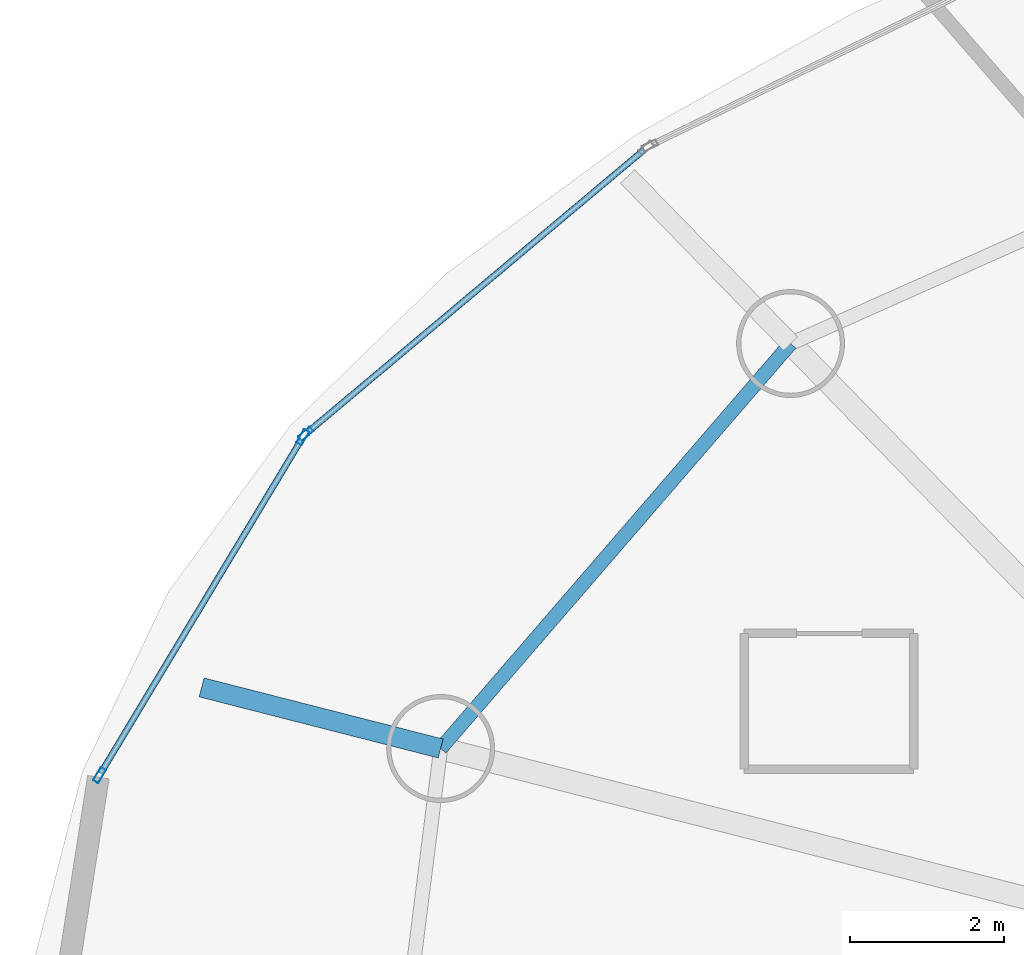
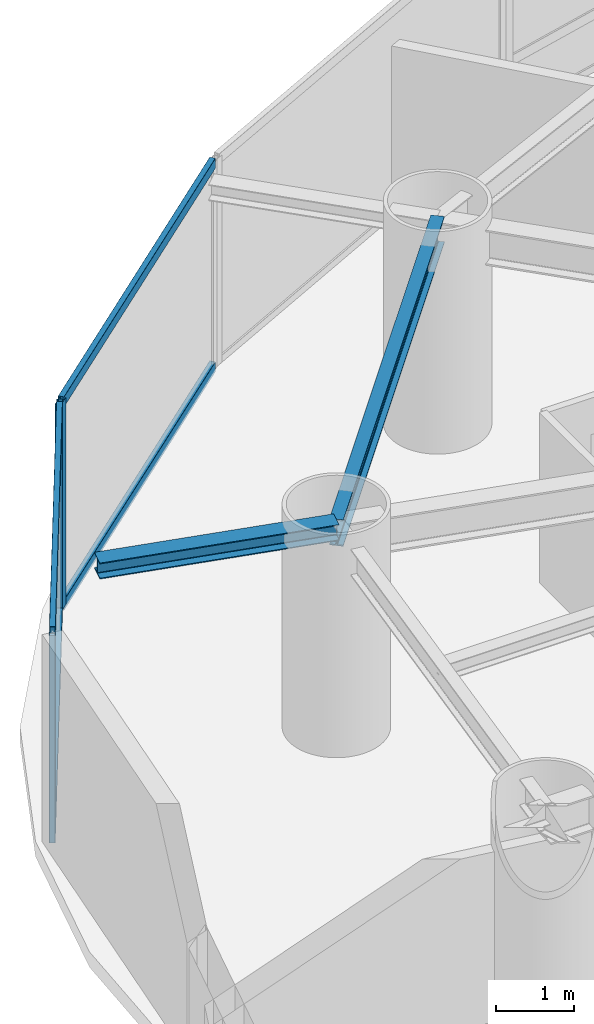
# One storey, part 7 of 20: 7 members, 2 beams, 2 elements without a shape of their own.
"""IFC4 building model written with IfcOpenShell, lengths in metres."""

from ifc_helpers import new_model, si_unit, direction, frame, origin, origin_2d, place, context, subcontext, project, spatial, hollow_rectangle, i_section, extrude, material, layer, layer_set, material_profile, profile_set, type_object, element, aggregate, save


model = new_model("IFC4")

# Units and contexts
model_context = context("Model", 3, precision=1e-05, world=origin(), true_north=direction((0.0, 1.0)))
body_context = subcontext(model_context, "Body", "Model", "MODEL_VIEW")
ifc_project = project(units=[si_unit("LENGTHUNIT", "METRE"), si_unit("AREAUNIT", "SQUARE_METRE"), si_unit("VOLUMEUNIT", "CUBIC_METRE"), si_unit("PLANEANGLEUNIT", "RADIAN"), si_unit("MASSUNIT", "GRAM", prefix="KILO")], contexts=[model_context])

# Site, building, storey
site_placement = place(None, origin())
site = spatial("IfcSite", under=ifc_project, at=site_placement, CompositionType="ELEMENT")
building_placement = place(site_placement, origin())
building = spatial("IfcBuilding", under=site, at=building_placement, Name="Bramvorn Convention Spire", CompositionType="ELEMENT")
storey_placement = place(building_placement, frame((0.0, 0.0, 113.300048828125)))
storey = spatial("IfcBuildingStorey", under=building, at=storey_placement, Name="L27", CompositionType="ELEMENT", Elevation=113.300048828125)

# Beams
ifc_material_1 = material(Name="Steel CSA G40.21 Grade 350 (350W)", Category="steel")
ifc_material_profile_1 = material_profile(ifc_material_1, i_section(OverallWidth=0.25390625, OverallDepth=0.2529296875, WebThickness=0.008544921875, FlangeThickness=0.01416015625, FilletRadius=0.011962890625, at=origin_2d()))
ifc_profile_set_1 = profile_set([ifc_material_profile_1], Name="Steel CSA G40.21 Grade 350 (350W) - W250X73")
beam_type_1 = type_object("IfcBeamType", Name="BM-W250X73", PredefinedType="BEAM", material=ifc_profile_set_1)
beam_1_placement = place(storey_placement, frame((13.88232421875, 36.73779296875, 3.133544921875), z_axis=(-0.968868276357, 0.24757678217, 0.0), x_axis=(-0.24757678217, -0.968868276357, 0.0)))
element("IfcBeam", 1, at=beam_1_placement, inside=storey, type_object=beam_type_1, Name="L27 slab-edge cantilever tip beam MC09", PredefinedType="BEAM", context=body_context, shape_type="SweptSolid", body=[
    extrude(i_section(OverallWidth=0.25390625, OverallDepth=0.2529296875, WebThickness=0.008544921875, FlangeThickness=0.01416015625, FilletRadius=0.011962890625, at=origin_2d()), origin(), (0.0, 0.0, 1.0), 3.199951171875),
])
ifc_material_profile_2 = material_profile(ifc_material_1, i_section(OverallWidth=0.180908203125, OverallDepth=0.4169921875, WebThickness=0.010986328125, FlangeThickness=0.018310546875, FilletRadius=0.01611328125, at=origin_2d()))
ifc_profile_set_2 = profile_set([ifc_material_profile_2], Name="Steel CSA G40.21 Grade 350 (350W) - W410X85")
beam_type_2 = type_object("IfcBeamType", Name="BM-W410X85", PredefinedType="JOIST", material=ifc_profile_set_2)
beam_2_placement = place(storey_placement, frame((18.420166015625, 41.9892578125, 3.051513671875), z_axis=(-0.653824993824, -0.756645807132, 0.0), x_axis=(0.756645807132, -0.653824993824, 0.0)))
element("IfcBeam", 2, at=beam_2_placement, inside=storey, type_object=beam_type_2, Name="L27 mega-column ring beam 08", PredefinedType="JOIST", context=body_context, shape_type="SweptSolid", body=[
    extrude(i_section(OverallWidth=0.180908203125, OverallDepth=0.4169921875, WebThickness=0.010986328125, FlangeThickness=0.018310546875, FilletRadius=0.01611328125, at=origin_2d()), origin(), (0.0, 0.0, 1.0), 6.9404296875),
])

# Curtain wall, member
ifc_material_2 = material(Name="Anodised Bronze Unitised Curtain Wall", Category="aluminium")
ifc_layer = layer(ifc_material_2, 0.179931640625)
ifc_layer_set = layer_set([ifc_layer], Name="Anodised Bronze Unitised Curtain Wall - CW-HTL-FRIT")
curtain_wall_type = type_object("IfcCurtainWallType", Name="CW-HTL-FRIT", PredefinedType="USERDEFINED", material=ifc_layer_set)
curtain_wall_1_placement = place(storey_placement, origin())
curtain_wall_1 = element("IfcCurtainWall", 3, at=curtain_wall_1_placement, inside=storey, type_object=curtain_wall_type, Name="L27 fritted glass curtain wall 11", ObjectType="UNITISED CURTAIN WALL", PredefinedType="USERDEFINED")
ifc_material_3 = material(Name="Anodised Bronze Aluminium 6063-T6", Category="aluminium")
ifc_material_profile_3 = material_profile(ifc_material_3, hollow_rectangle(XDim=0.080078125, YDim=0.199951171875, WallThickness=0.00390625, InnerFilletRadius=0.0009765625, OuterFilletRadius=0.00390625, at=origin_2d()))
ifc_profile_set_3 = profile_set([ifc_material_profile_3], Name="Anodised Bronze Aluminium 6063-T6 - CWM80X200")
member_type_1 = type_object("IfcMemberType", Name="CW-MUL-180", PredefinedType="MULLION", material=ifc_profile_set_3)
member_1_placement = place(storey_placement, frame((12.13330078125, 40.81884765625, 0.0), z_axis=(0.0, 0.0, 1.0), x_axis=(-0.642889961589, 0.765958548022, 0.0)))
member_1 = element("IfcMember", 4, at=member_1_placement, type_object=member_type_1, Name="CW2 mullion 1", PredefinedType="MULLION", context=body_context, shape_type="SweptSolid", body=[
    extrude(hollow_rectangle(XDim=0.080078125, YDim=0.199951171875, WallThickness=0.00390625, InnerFilletRadius=0.0009765625, OuterFilletRadius=0.00390625, at=origin_2d()), origin(), (0.0, 0.0, 1.0), 3.260009765625),
])

# Curtain wall, members
curtain_wall_2_placement = place(storey_placement, origin())
curtain_wall_2 = element("IfcCurtainWall", 5, at=curtain_wall_2_placement, inside=storey, type_object=curtain_wall_type, Name="L27 fritted glass curtain wall 12", ObjectType="UNITISED CURTAIN WALL", PredefinedType="USERDEFINED")
member_2_placement = place(storey_placement, frame((9.45849609375, 36.391357421875, 0.0), z_axis=(0.0, 0.0, 1.0), x_axis=(-0.856907467728, 0.515470262723, 0.0)))
member_2 = element("IfcMember", 6, at=member_2_placement, type_object=member_type_1, Name="CW2 mullion 1", PredefinedType="MULLION", context=body_context, shape_type="SweptSolid", body=[
    extrude(hollow_rectangle(XDim=0.080078125, YDim=0.199951171875, WallThickness=0.00390625, InnerFilletRadius=0.0009765625, OuterFilletRadius=0.00390625, at=origin_2d()), origin(), (0.0, 0.0, 1.0), 3.260009765625),
])
member_3_placement = place(storey_placement, frame((12.0947265625, 40.77392578125, 0.0), z_axis=(0.0, 0.0, 1.0), x_axis=(-0.856907467728, 0.515470262723, 0.0)))
member_3 = element("IfcMember", 7, at=member_3_placement, type_object=member_type_1, Name="CW2 mullion 2", PredefinedType="MULLION", context=body_context, shape_type="SweptSolid", body=[
    extrude(hollow_rectangle(XDim=0.080078125, YDim=0.199951171875, WallThickness=0.00390625, InnerFilletRadius=0.0009765625, OuterFilletRadius=0.00390625, at=origin_2d()), origin(), (0.0, 0.0, 1.0), 3.260009765625),
])

# Member
ifc_material_profile_4 = material_profile(ifc_material_3, hollow_rectangle(XDim=0.080078125, YDim=0.159912109375, WallThickness=0.00390625, InnerFilletRadius=0.0009765625, OuterFilletRadius=0.00390625, at=origin_2d()))
ifc_profile_set_4 = profile_set([ifc_material_profile_4], Name="Anodised Bronze Aluminium 6063-T6 - CWT80X160")
member_type_2 = type_object("IfcMemberType", Name="CW-TRN-150", PredefinedType="USERDEFINED", material=ifc_profile_set_4)
member_4_placement = place(storey_placement, frame((12.15625, 40.838134765625, 0.030029296875), z_axis=(0.765963713317, 0.64288380745, 0.0), x_axis=(-0.64288380745, 0.765963713317, 0.0)))
member_4 = element("IfcMember", 8, at=member_4_placement, type_object=member_type_2, Name="CW2 transom 1.1", ObjectType="TRANSOM", PredefinedType="USERDEFINED", context=body_context, shape_type="SweptSolid", body=[
    extrude(hollow_rectangle(XDim=0.080078125, YDim=0.159912109375, WallThickness=0.00390625, InnerFilletRadius=0.0009765625, OuterFilletRadius=0.00390625, at=origin_2d()), origin(), (0.0, 0.0, 1.0), 5.702880859375),
])

member_5_placement = place(storey_placement, frame((12.15625, 40.838134765625, 3.22998046875), z_axis=(0.765963713317, 0.64288380745, 0.0), x_axis=(-0.64288380745, 0.765963713317, 0.0)))
member_5 = element("IfcMember", 9, at=member_5_placement, type_object=member_type_2, Name="CW2 transom 1.2", ObjectType="TRANSOM", PredefinedType="USERDEFINED", context=body_context, shape_type="SweptSolid", body=[
    extrude(hollow_rectangle(XDim=0.080078125, YDim=0.159912109375, WallThickness=0.00390625, InnerFilletRadius=0.0009765625, OuterFilletRadius=0.00390625, at=origin_2d()), origin(), (0.0, 0.0, 1.0), 5.702880859375),
])

aggregate(curtain_wall_1, [member_1, member_4, member_5])

member_6_placement = place(storey_placement, frame((9.47412109375, 36.417236328125, 0.030029296875), z_axis=(0.515454414676, 0.856917000876, 0.0), x_axis=(-0.856917000876, 0.515454414676, 0.0)))
member_6 = element("IfcMember", 10, at=member_6_placement, type_object=member_type_2, Name="CW2 transom 1.1", ObjectType="TRANSOM", PredefinedType="USERDEFINED", context=body_context, shape_type="SweptSolid", body=[
    extrude(hollow_rectangle(XDim=0.080078125, YDim=0.159912109375, WallThickness=0.00390625, InnerFilletRadius=0.0009765625, OuterFilletRadius=0.00390625, at=origin_2d()), origin(), (0.0, 0.0, 1.0), 5.05419921875),
])

member_7_placement = place(storey_placement, frame((9.47412109375, 36.417236328125, 3.22998046875), z_axis=(0.515454414676, 0.856917000876, 0.0), x_axis=(-0.856917000876, 0.515454414676, 0.0)))
member_7 = element("IfcMember", 11, at=member_7_placement, type_object=member_type_2, Name="CW2 transom 1.2", ObjectType="TRANSOM", PredefinedType="USERDEFINED", context=body_context, shape_type="SweptSolid", body=[
    extrude(hollow_rectangle(XDim=0.080078125, YDim=0.159912109375, WallThickness=0.00390625, InnerFilletRadius=0.0009765625, OuterFilletRadius=0.00390625, at=origin_2d()), origin(), (0.0, 0.0, 1.0), 5.05419921875),
])

aggregate(curtain_wall_2, [member_2, member_3, member_6, member_7])

save(model, "model.ifc")
